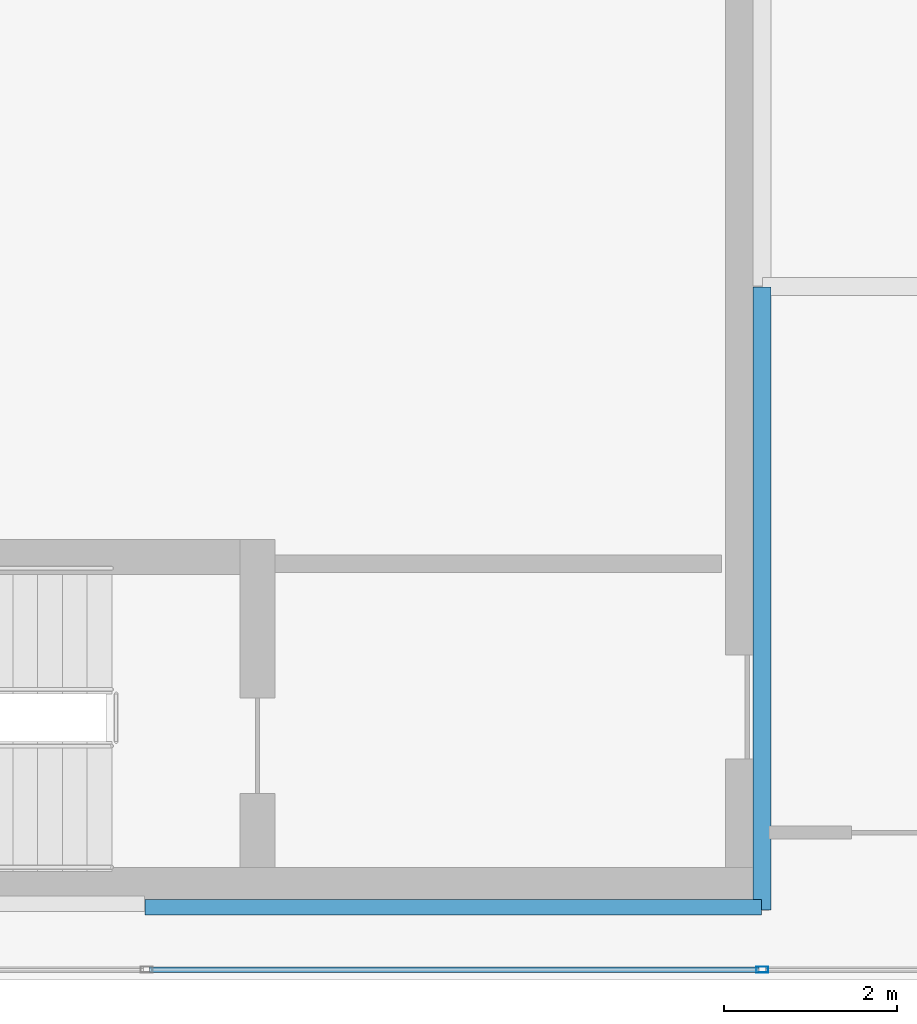
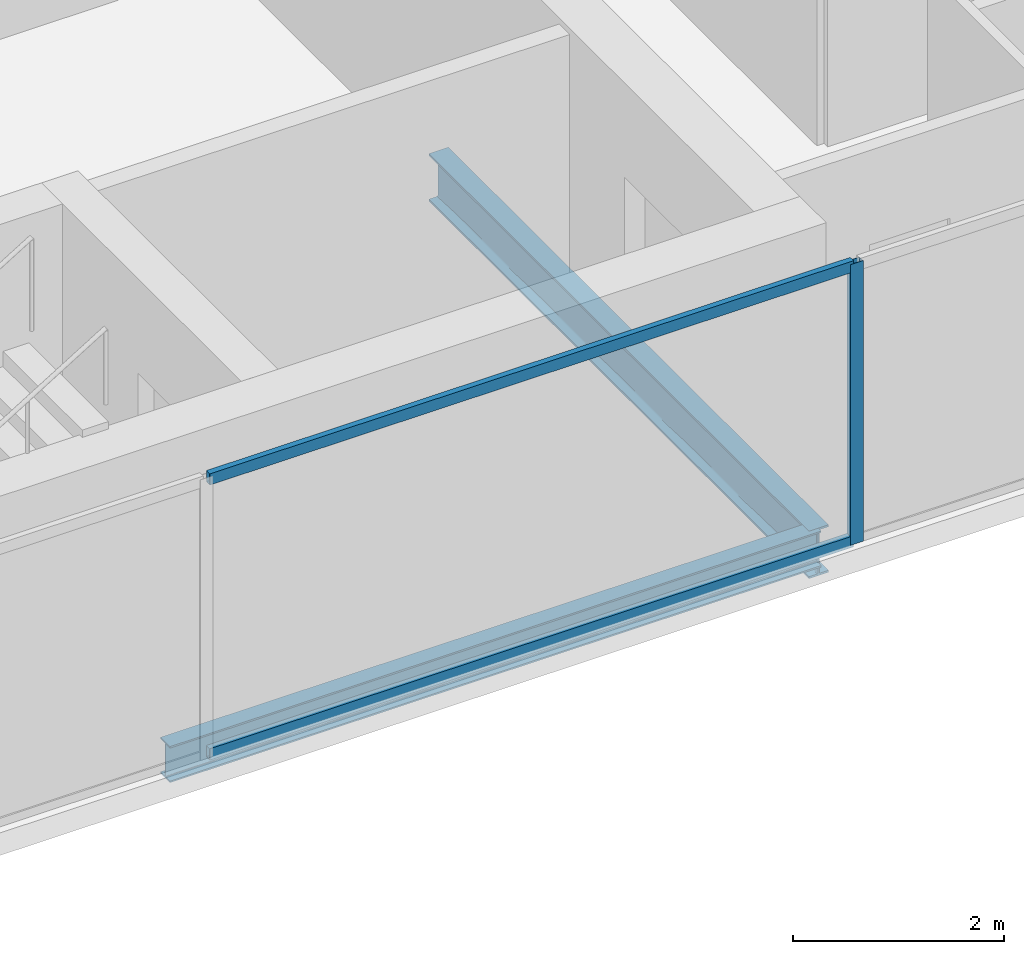
# One storey, part 3 of 24: 3 members, 2 beams, 1 element without a shape of its own.
"""IFC4 building model written with IfcOpenShell, lengths in metres."""

import ifcopenshell
import ifcopenshell.guid

model = None  # the IFC model being written
_history = None  # IfcOwnerHistory: only IFC2X3 demands one
_inside = {}  # id of a spatial element -> (the spatial element, [elements in it])
_under = {}  # id of a project, library or spatial element -> (it, [spatial elements below it])
_declared = {}  # id of a project -> (the project, [libraries it declares])
_typed = {}  # id of a type object -> (the type object, [elements of that type])
_made_of = {}  # id of a material, layer set ... -> (it, [elements and type objects made of it])


def new_model(schema):
    """Start an empty IFC model of exactly this schema.

    Asked for "IFC4X3", IfcOpenShell would pick the latest addendum, in which some entities
    have other attributes; the version numbers below select the first issue.
    IFC2X3 requires an IfcOwnerHistory on every rooted entity: one is made here for all.
    """
    global model, _history
    if schema == "IFC4X3":
        model = ifcopenshell.file(schema_version=(4, 3, 0, 0))
    else:
        model = ifcopenshell.file(schema=schema)
    _inside.clear()
    _under.clear()
    _declared.clear()
    _typed.clear()
    _made_of.clear()
    _history = None
    if model.schema == "IFC2X3":
        org = make("IfcOrganization", Name="unknown")
        user = make(
            "IfcPersonAndOrganization",
            ThePerson=make("IfcPerson", FamilyName="unknown"),
            TheOrganization=org,
        )
        app = make(
            "IfcApplication",
            ApplicationDeveloper=org,
            Version="unknown",
            ApplicationFullName="unknown",
            ApplicationIdentifier="unknown",
        )
        _history = make(
            "IfcOwnerHistory",
            OwningUser=user,
            OwningApplication=app,
            ChangeAction="ADDED",
            CreationDate=0,
        )
    return model


def make(cls, **values):
    """One entity of the class cls with the attributes given. An attribute that is None is left unset."""
    return model.create_entity(
        cls, **{name: value for name, value in values.items() if value is not None}
    )


def rooted(cls, **values):
    """An entity with a GlobalId (a new one), such as an element, a storey or a relation."""
    return make(cls, GlobalId=ifcopenshell.guid.new(), OwnerHistory=_history, **values)


def si_unit(unit_type, name, prefix=None):
    """IfcSIUnit, for example si_unit("LENGTHUNIT", "METRE", prefix="MILLI")."""
    return make("IfcSIUnit", UnitType=unit_type, Prefix=prefix, Name=name)


def assignment(units):
    """IfcUnitAssignment: the units of a project."""
    return None if units is None else make("IfcUnitAssignment", Units=units)


def point(xyz):
    """IfcCartesianPoint."""
    return None if xyz is None else make("IfcCartesianPoint", Coordinates=xyz)


def direction(xyz):
    """IfcDirection."""
    return None if xyz is None else make("IfcDirection", DirectionRatios=xyz)


def frame(location, z_axis=None, x_axis=None):
    """IfcAxis2Placement3D, a coordinate frame: its origin and axes. An axis left out is left unset."""
    return make(
        "IfcAxis2Placement3D",
        Location=point(location),
        Axis=direction(z_axis),
        RefDirection=direction(x_axis),
    )


def frame_2d(location, x_axis=None):
    """IfcAxis2Placement2D, a coordinate frame in the plane: its origin and x axis."""
    return make(
        "IfcAxis2Placement2D", Location=point(location), RefDirection=direction(x_axis)
    )


def origin():
    """The frame at (0, 0, 0) with its axes left unset."""
    return frame((0.0, 0.0, 0.0))


def origin_2d():
    """The frame at (0, 0) in the plane with its x axis left unset."""
    return frame_2d((0.0, 0.0))


def place(relative_to, where):
    """IfcLocalPlacement: puts the frame where relative to a parent placement (None: the world)."""
    return make(
        "IfcLocalPlacement", PlacementRelTo=relative_to, RelativePlacement=where
    )


def context(
    kind, dimensions, precision=None, world=None, true_north=None, identifier=None
):
    """IfcGeometricRepresentationContext, for example the 3D "Model" context."""
    return make(
        "IfcGeometricRepresentationContext",
        ContextIdentifier=identifier,
        ContextType=kind,
        CoordinateSpaceDimension=dimensions,
        Precision=precision,
        WorldCoordinateSystem=world,
        TrueNorth=true_north,
    )


def subcontext(parent, identifier, kind, view, scale=None):
    """IfcGeometricRepresentationSubContext, for example "Body" below "Model"."""
    return make(
        "IfcGeometricRepresentationSubContext",
        ContextIdentifier=identifier,
        ContextType=kind,
        ParentContext=parent,
        TargetScale=scale,
        TargetView=view,
    )


def project(units=None, contexts=None):
    """IfcProject with its units and contexts."""
    return rooted(
        "IfcProject",
        Name="project",
        RepresentationContexts=contexts,
        UnitsInContext=assignment(units),
    )


def spatial(cls, under=None, at=None, **own):
    """A site, building, storey or space (cls), placed at a placement, below another one or the project."""
    s = rooted(cls, ObjectPlacement=at, **own)
    if under is not None:
        _under.setdefault(under.id(), (under, []))[1].append(s)
    return s


def profile(cls, at=None, kind="AREA", **sizes):
    """A parametric profile (cls). Its sizes go by their IFC names, for example OverallWidth=200.0."""
    return make(cls, ProfileType=kind, Position=at, **sizes)


def hollow_rectangle(**sizes):
    """IfcRectangleHollowProfileDef."""
    return profile("IfcRectangleHollowProfileDef", **sizes)


def i_section(**sizes):
    """IfcIShapeProfileDef."""
    return profile("IfcIShapeProfileDef", **sizes)


def extrude(swept, where, along, depth):
    """IfcExtrudedAreaSolid: the profile swept, set in the frame where, extruded along a direction by depth."""
    return make(
        "IfcExtrudedAreaSolid",
        SweptArea=swept,
        Position=where,
        ExtrudedDirection=direction(along),
        Depth=depth,
    )


def shape(context_of_items, identifier, shape_type, items):
    """IfcShapeRepresentation: the items that make up one representation, for example the "Body"."""
    return make(
        "IfcShapeRepresentation",
        ContextOfItems=context_of_items,
        RepresentationIdentifier=identifier,
        RepresentationType=shape_type,
        Items=items,
    )


def material(Name=None, Category=None):
    """IfcMaterial."""
    return make("IfcMaterial", Name=Name, Category=Category)


def material_profile(
    of_material, cross_section, Name=None, Category=None, Priority=None
):
    """IfcMaterialProfile: a cross section and its material."""
    return make(
        "IfcMaterialProfile",
        Name=Name,
        Material=of_material,
        Profile=cross_section,
        Priority=Priority,
        Category=Category,
    )


def profile_set(profiles, Name=None, composite=None):
    """IfcMaterialProfileSet."""
    return make(
        "IfcMaterialProfileSet",
        Name=Name,
        MaterialProfiles=profiles,
        CompositeProfile=composite,
    )


def made_of(thing, what):
    """Note that an element or type object is made of a material, layer set ...; save() writes the relation."""
    if what is not None:
        _made_of.setdefault(what.id(), (what, []))[1].append(thing)
    return thing


def type_object(cls, material=None, **own):
    """A type object (cls), such as IfcWallType, which elements share."""
    return made_of(rooted(cls, **own), material)


def element(
    cls,
    number,
    at=None,
    inside=None,
    cuts=None,
    type_object=None,
    material=None,
    context=None,
    identifier="Body",
    shape_type=None,
    held_by="IfcProductDefinitionShape",
    body=None,
    shapes=None,
    **own,
):
    """One element of the class cls, such as IfcWall. Its Tag is "e" and its number.

    at: its placement. inside: the storey or other place that contains it. cuts: it is an
    opening in that element (IfcRelVoidsElement). A single representation is given by context,
    identifier, shape_type and body (its items); several are given by shapes. held_by: the class
    of the entity that holds the representations. save() writes the other relations.
    """
    e = rooted(cls, Tag="e%d" % number, ObjectPlacement=at, **own)
    if body is not None:
        shapes = [shape(context, identifier, shape_type, body)]
    if shapes is not None:
        e.Representation = make(held_by, Representations=shapes)
    if inside is not None:
        _inside.setdefault(inside.id(), (inside, []))[1].append(e)
    if cuts is not None:
        rooted(
            "IfcRelVoidsElement", RelatingBuildingElement=cuts, RelatedOpeningElement=e
        )
    if type_object is not None:
        _typed.setdefault(type_object.id(), (type_object, []))[1].append(e)
    return made_of(e, material)


def aggregate(whole, parts):
    """IfcRelAggregates: a whole, such as a stair, and the parts it consists of."""
    return rooted("IfcRelAggregates", RelatingObject=whole, RelatedObjects=parts)


def save(model, path):
    """Write the relations noted so far, then the file.

    IfcRelAggregates (storeys below a building ...), IfcRelContainedInSpatialStructure (elements
    in a storey), IfcRelDefinesByType, IfcRelAssociatesMaterial and IfcRelDeclares: one each for
    every whole, place, type object, material and project.
    """
    for whole, parts in _under.values():
        aggregate(whole, parts)
    for where, things in _inside.values():
        rooted(
            "IfcRelContainedInSpatialStructure",
            RelatedElements=things,
            RelatingStructure=where,
        )
    for kind, things in _typed.values():
        rooted("IfcRelDefinesByType", RelatedObjects=things, RelatingType=kind)
    for what, things in _made_of.values():
        rooted("IfcRelAssociatesMaterial", RelatedObjects=things, RelatingMaterial=what)
    for by, libraries in _declared.values():
        rooted("IfcRelDeclares", RelatingContext=by, RelatedDefinitions=libraries)
    model.write(path)


model = new_model("IFC4")

# Units and contexts
model_context = context("Model", 3, precision=1e-05, world=origin(), true_north=direction((0.0, 1.0)))
body_context = subcontext(model_context, "Body", "Model", "MODEL_VIEW")
ifc_project = project(units=[si_unit("LENGTHUNIT", "METRE"), si_unit("AREAUNIT", "SQUARE_METRE"), si_unit("VOLUMEUNIT", "CUBIC_METRE"), si_unit("PLANEANGLEUNIT", "RADIAN"), si_unit("MASSUNIT", "GRAM", prefix="KILO")], contexts=[model_context])

# Site, building, storey
site_placement = place(None, origin())
site = spatial("IfcSite", under=ifc_project, at=site_placement, CompositionType="ELEMENT")
building_placement = place(site_placement, origin())
building = spatial("IfcBuilding", under=site, at=building_placement, Name="Cobrela Telecom Tower", CompositionType="ELEMENT")
storey_placement = place(building_placement, frame((0.0, 0.0, 241.14990234375)))
storey = spatial("IfcBuildingStorey", under=building, at=storey_placement, Name="L62", CompositionType="ELEMENT", Elevation=241.14990234375)

# Beams
ifc_material_1 = material(Name="Steel ASTM A992 Grade 50", Category="steel")
ifc_material_profile_1 = material_profile(ifc_material_1, i_section(OverallWidth=0.212890625, OverallDepth=0.549072265625, WebThickness=0.0146484375, FlangeThickness=0.023681640625, FilletRadius=0.013916015625, at=origin_2d()), Name="W21X93")
ifc_profile_set_1 = profile_set([ifc_material_profile_1], Name="Steel ASTM A992 Grade 50")
beam_type_1 = type_object("IfcBeamType", Name="BM-GIRD-08", PredefinedType="USERDEFINED", material=ifc_profile_set_1)
beam_1_placement = place(storey_placement, frame((14.320068359375, 7.205078125, -0.534423828125), z_axis=(0.0, 1.0, 0.0), x_axis=(-1.0, 0.0, 0.0)))
element("IfcBeam", 1, at=beam_1_placement, inside=storey, type_object=beam_type_1, Name="L62 Primary Girder Y19", ObjectType="GIRDER", PredefinedType="USERDEFINED", context=body_context, shape_type="SweptSolid", body=[
    extrude(i_section(OverallWidth=0.212890625, OverallDepth=0.549072265625, WebThickness=0.0146484375, FlangeThickness=0.023681640625, FilletRadius=0.013916015625, at=origin_2d()), origin(), (0.0, 0.0, 1.0), 7.18994140625),
])
ifc_material_profile_2 = material_profile(ifc_material_1, i_section(OverallWidth=0.179931640625, OverallDepth=0.4169921875, WebThickness=0.010986328125, FlangeThickness=0.01806640625, FilletRadius=0.011962890625, at=origin_2d()), Name="W16X57")
ifc_profile_set_2 = profile_set([ifc_material_profile_2], Name="Steel ASTM A992 Grade 50")
beam_type_2 = type_object("IfcBeamType", Name="BM-SPAND-06", PredefinedType="SPANDREL", material=ifc_profile_set_2)
beam_2_placement = place(storey_placement, frame((7.205078125, 7.239990234375, -0.468505859375), z_axis=(1.0, 0.0, 0.0), x_axis=(0.0, 1.0, 0.0)))
element("IfcBeam", 2, at=beam_2_placement, inside=storey, type_object=beam_type_2, Name="L62 Perimeter Spandrel X02", PredefinedType="SPANDREL", context=body_context, shape_type="SweptSolid", body=[
    extrude(i_section(OverallWidth=0.179931640625, OverallDepth=0.4169921875, WebThickness=0.010986328125, FlangeThickness=0.01806640625, FilletRadius=0.011962890625, at=origin_2d()), origin(), (0.0, 0.0, 1.0), 7.10986328125),
])

# Curtain wall, members
ifc_material_2 = material(Name="Anodized Bronze Aluminium 6063-T6", Category="aluminium")
curtain_wall_type = type_object("IfcCurtainWallType", Name="CW-SYS-OFF-HI", PredefinedType="USERDEFINED", material=ifc_material_2)
curtain_wall_placement = place(storey_placement, origin())
curtain_wall = element("IfcCurtainWall", 3, at=curtain_wall_placement, inside=storey, type_object=curtain_wall_type, Name="L62 Unitised Bronze Curtain Wall 15", ObjectType="UNITISED CURTAIN WALL", PredefinedType="USERDEFINED")
ifc_material_profile_3 = material_profile(ifc_material_2, hollow_rectangle(XDim=0.070068359375, YDim=0.139892578125, WallThickness=0.00390625, at=origin_2d()), Name="ALU 70x140x4")
ifc_profile_set_3 = profile_set([ifc_material_profile_3], Name="Anodized Bronze Aluminium 6063-T6")
member_type_1 = type_object("IfcMemberType", Name="CW-SYS-OFF-HI-MUL", PredefinedType="MULLION", material=ifc_profile_set_3)
member_1_placement = place(storey_placement, frame((14.3232421875, 6.52001953125, 0.0), z_axis=(0.0, 0.0, 1.0), x_axis=(0.0, -1.0, 0.0)))
member_1 = element("IfcMember", 4, at=member_1_placement, type_object=member_type_1, Name="CW-OFF-HI mullion 5", PredefinedType="MULLION", context=body_context, shape_type="SweptSolid", body=[
    extrude(hollow_rectangle(XDim=0.070068359375, YDim=0.139892578125, WallThickness=0.00390625, at=origin_2d()), origin(), (0.0, 0.0, 1.0), 3.239990234375),
])
ifc_material_profile_4 = material_profile(ifc_material_2, hollow_rectangle(XDim=0.06494140625, YDim=0.1298828125, WallThickness=0.00390625, at=origin_2d()), Name="ALU 65x130x4")
ifc_profile_set_4 = profile_set([ifc_material_profile_4], Name="Anodized Bronze Aluminium 6063-T6")
member_type_2 = type_object("IfcMemberType", Name="CW-SYS-OFF-HI-TRN", PredefinedType="USERDEFINED", material=ifc_profile_set_4)
member_2_placement = place(storey_placement, frame((14.288330078125, 6.52001953125, 0.03271484375), z_axis=(-1.0, 0.0, 0.0), x_axis=(0.0, -1.0, 0.0)))
member_2 = element("IfcMember", 5, at=member_2_placement, type_object=member_type_2, Name="CW-OFF-HI transom 5.1", ObjectType="TRANSOM", PredefinedType="USERDEFINED", context=body_context, shape_type="SweptSolid", body=[
    extrude(hollow_rectangle(XDim=0.06494140625, YDim=0.1298828125, WallThickness=0.00390625, at=origin_2d()), origin(), (0.0, 0.0, 1.0), 7.03173828125),
])
member_3_placement = place(storey_placement, frame((14.288330078125, 6.52001953125, 3.20751953125), z_axis=(-1.0, 0.0, 0.0), x_axis=(0.0, -1.0, 0.0)))
member_3 = element("IfcMember", 6, at=member_3_placement, type_object=member_type_2, Name="CW-OFF-HI transom 5.2", ObjectType="TRANSOM", PredefinedType="USERDEFINED", context=body_context, shape_type="SweptSolid", body=[
    extrude(hollow_rectangle(XDim=0.06494140625, YDim=0.1298828125, WallThickness=0.00390625, at=origin_2d()), origin(), (0.0, 0.0, 1.0), 7.03173828125),
])
aggregate(curtain_wall, [member_1, member_2, member_3])

save(model, "model.ifc")
